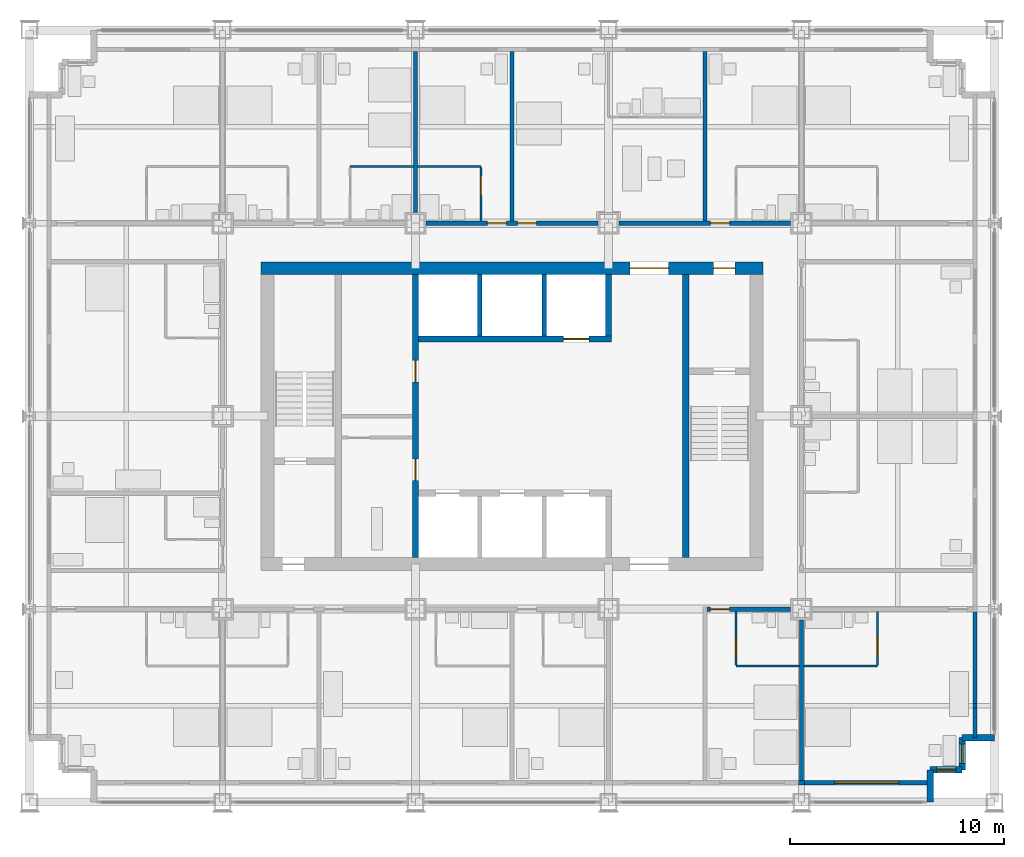
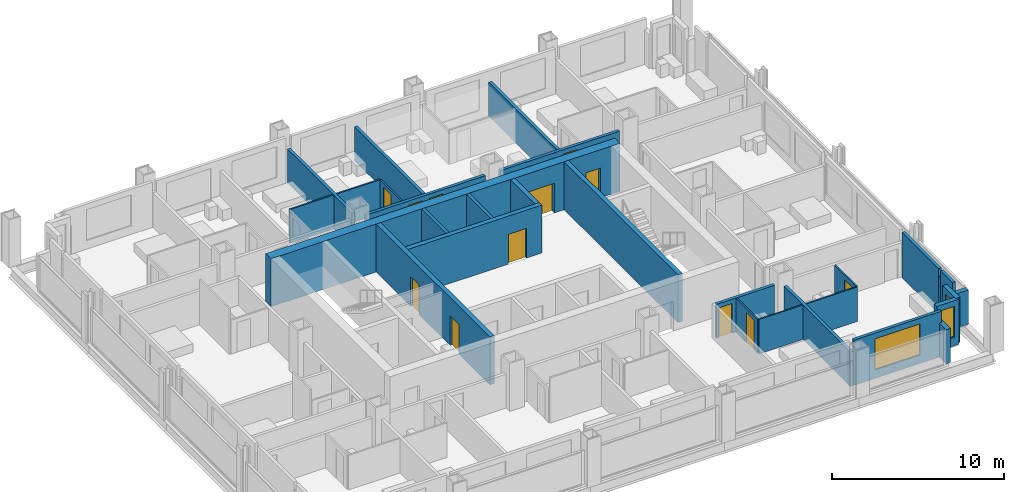
# One storey, part 11 of 16: 30 walls, 12 doors, 3 windows, 15 openings.
"""IFC4 building model written with IfcOpenShell, lengths in metres."""

from ifc_helpers import new_model, si_unit, direction, frame, frame_2d, origin, place, context, subcontext, project, spatial, rectangle, extrude, material, layer, layer_set, type_object, element, fill, save


model = new_model("IFC4")

# Units and contexts
model_context = context("Model", 3, precision=1e-05, world=origin(), true_north=direction((0.0, 1.0)))
body_context = subcontext(model_context, "Body", "Model", "MODEL_VIEW")
ifc_project = project(units=[si_unit("LENGTHUNIT", "METRE"), si_unit("AREAUNIT", "SQUARE_METRE"), si_unit("VOLUMEUNIT", "CUBIC_METRE"), si_unit("PLANEANGLEUNIT", "RADIAN"), si_unit("MASSUNIT", "GRAM", prefix="KILO")], contexts=[model_context])

# Site, building, storey
site_placement = place(None, origin())
site = spatial("IfcSite", under=ifc_project, at=site_placement, CompositionType="ELEMENT")
building_placement = place(site_placement, origin())
building = spatial("IfcBuilding", under=site, at=building_placement, Name="Loomwork Tower", CompositionType="ELEMENT")
storey_placement = place(building_placement, frame((0.0, 0.0, 97.60009765625)))
storey = spatial("IfcBuildingStorey", under=building, at=storey_placement, Name="L25", CompositionType="ELEMENT", Elevation=97.60009765625)

# Wall, openings, doors
ifc_material_1 = material(Name="Concrete 14000 psi (97 MPa)", Category="concrete")
ifc_layer_1 = layer(ifc_material_1, 0.300048828125)
ifc_layer_set_1 = layer_set([ifc_layer_1], Name="Core shear wall 300")
wall_type_1 = type_object("IfcWallType", Name="Core shear wall 300", PredefinedType="SHEAR", material=ifc_layer_set_1)
wall_1_placement = place(storey_placement, frame((18.0, 11.39990234375, 0.0), z_axis=(0.0, 0.0, 1.0), x_axis=(0.0, 1.0, 0.0)))
wall_1 = element("IfcWall", 1, at=wall_1_placement, inside=storey, type_object=wall_type_1, Name="Lobby west wall L25", PredefinedType="SHEAR", context=body_context, shape_type="SweptSolid", body=[
    extrude(rectangle(XDim=13.2001953125, YDim=0.300048828125, at=frame_2d((6.60009765625, 0.0))), origin(), (0.0, 0.0, 1.0), 3.39990234375),
])
opening_1_placement = place(wall_1_placement, frame((3.60009765625, 0.0, 0.0)))
opening_1 = element("IfcOpeningElement", 2, at=opening_1_placement, cuts=wall_1, Name="Opening D5", PredefinedType="OPENING", context=body_context, shape_type="SweptSolid", body=[
    extrude(rectangle(XDim=1.0, YDim=2.10009765625, at=frame_2d((0.5, 1.050048828125))), frame((0.0, 0.159912109375, 0.0), z_axis=(0.0, -1.0, 0.0), x_axis=(1.0, 0.0, 0.0)), (0.0, 0.0, 1.0), 0.320068359375),
])
opening_2_placement = place(wall_1_placement, frame((8.199951171875, 0.0, 0.0)))
opening_2 = element("IfcOpeningElement", 3, at=opening_2_placement, cuts=wall_1, Name="Opening D5", PredefinedType="OPENING", context=body_context, shape_type="SweptSolid", body=[
    extrude(rectangle(XDim=1.0, YDim=2.10009765625, at=frame_2d((0.5, 1.050048828125))), frame((0.0, 0.159912109375, 0.0), z_axis=(0.0, -1.0, 0.0), x_axis=(1.0, 0.0, 0.0)), (0.0, 0.0, 1.0), 0.320068359375),
])
ifc_material_2 = material(Name="Hollow metal door and frame")
door_type_1 = type_object("IfcDoorType", Name="Service door 1000", OperationType="SINGLE_SWING_LEFT", PredefinedType="DOOR", material=ifc_material_2)
door_1_placement = place(opening_1_placement, origin())
door_1 = element("IfcDoor", 4, at=door_1_placement, inside=storey, type_object=door_type_1, Name="Back-of-house door south", OperationType="SINGLE_SWING_LEFT", OverallHeight=2.10009765625, OverallWidth=1.0, PredefinedType="DOOR", context=body_context, shape_type="SweptSolid", body=[
    extrude(rectangle(XDim=1.0, YDim=2.10009765625, at=frame_2d((0.5, 1.050048828125))), frame((0.0, 0.02490234375, 0.0), z_axis=(0.0, -1.0, 0.0), x_axis=(1.0, 0.0, 0.0)), (0.0, 0.0, 1.0), 0.050048828125),
])
fill(opening_1, door_1)
door_2_placement = place(opening_2_placement, origin())
door_2 = element("IfcDoor", 5, at=door_2_placement, inside=storey, type_object=door_type_1, Name="Back-of-house door north", OperationType="SINGLE_SWING_RIGHT", OverallHeight=2.10009765625, OverallWidth=1.0, PredefinedType="DOOR", context=body_context, shape_type="SweptSolid", body=[
    extrude(rectangle(XDim=1.0, YDim=2.10009765625, at=frame_2d((0.5, 1.050048828125))), frame((0.0, 0.02490234375, 0.0), z_axis=(0.0, -1.0, 0.0), x_axis=(1.0, 0.0, 0.0)), (0.0, 0.0, 1.0), 0.050048828125),
])
fill(opening_2, door_2)

# Wall, opening, door
wall_2_placement = place(storey_placement, frame((18.14990234375, 21.60009765625, 0.0), z_axis=(0.0, 0.0, 1.0), x_axis=(1.0, 0.0, 0.0)))
wall_2 = element("IfcWall", 6, at=wall_2_placement, inside=storey, type_object=wall_type_1, Name="Lift front wall north L25", PredefinedType="SHEAR", context=body_context, shape_type="SweptSolid", body=[
    extrude(rectangle(XDim=9.0, YDim=0.300048828125, at=frame_2d((4.5, 0.0))), origin(), (0.0, 0.0, 1.0), 3.39990234375),
])
opening_3_placement = place(wall_2_placement, frame((6.75, 0.0, 0.0)))
opening_3 = element("IfcOpeningElement", 7, at=opening_3_placement, cuts=wall_2, Name="Opening LD2", PredefinedType="OPENING", context=body_context, shape_type="SweptSolid", body=[
    extrude(rectangle(XDim=1.199951171875, YDim=2.10009765625, at=frame_2d((0.60009765625, 1.050048828125))), frame((0.0, 0.159912109375, 0.0), z_axis=(0.0, -1.0, 0.0), x_axis=(1.0, 0.0, 0.0)), (0.0, 0.0, 1.0), 0.320068359375),
])
ifc_material_3 = material(Name="Hollow metal door and frame")
door_type_2 = type_object("IfcDoorType", Name="Lift landing door 1200", OperationType="SLIDING_TO_LEFT", PredefinedType="DOOR", material=ifc_material_3)
door_3_placement = place(opening_3_placement, origin())
door_3 = element("IfcDoor", 8, at=door_3_placement, inside=storey, type_object=door_type_2, Name="Lift landing door LF2", OperationType="SLIDING_TO_LEFT", OverallHeight=2.10009765625, OverallWidth=1.199951171875, PredefinedType="DOOR", context=body_context, shape_type="SweptSolid", body=[
    extrude(rectangle(XDim=1.199951171875, YDim=2.10009765625, at=frame_2d((0.60009765625, 1.050048828125))), frame((0.0, 0.02490234375, 0.0), z_axis=(0.0, -1.0, 0.0), x_axis=(1.0, 0.0, 0.0)), (0.0, 0.0, 1.0), 0.050048828125),
])
fill(opening_3, door_3)

# Walls
wall_3_placement = place(storey_placement, frame((27.0, 21.75, 0.0), z_axis=(0.0, 0.0, 1.0), x_axis=(0.0, 1.0, 0.0)))
element("IfcWall", 9, at=wall_3_placement, inside=storey, type_object=wall_type_1, Name="Lift shaft end wall north L25", PredefinedType="SHEAR", context=body_context, shape_type="SweptSolid", body=[
    extrude(rectangle(XDim=2.85009765625, YDim=0.300048828125, at=frame_2d((1.425048828125, 0.0))), origin(), (0.0, 0.0, 1.0), 3.39990234375),
])
wall_4_placement = place(storey_placement, frame((30.60009765625, 11.39990234375, 0.0), z_axis=(0.0, 0.0, 1.0), x_axis=(0.0, 1.0, 0.0)))
element("IfcWall", 10, at=wall_4_placement, inside=storey, type_object=wall_type_1, Name="Stair B west wall L25", PredefinedType="SHEAR", context=body_context, shape_type="SweptSolid", body=[
    extrude(rectangle(XDim=13.2001953125, YDim=0.300048828125, at=frame_2d((6.60009765625, 0.0))), origin(), (0.0, 0.0, 1.0), 3.39990234375),
])

# Wall, openings, doors
ifc_material_4 = material(Name="Concrete 14000 psi (97 MPa)", Category="concrete")
ifc_layer_2 = layer(ifc_material_4, 0.60009765625)
ifc_layer_set_2 = layer_set([ifc_layer_2], Name="Core shear wall 600")
wall_type_2 = type_object("IfcWallType", Name="Core shear wall 600", PredefinedType="SHEAR", material=ifc_layer_set_2)
wall_5_placement = place(storey_placement, frame((10.800048828125, 24.89990234375, 0.0), z_axis=(0.0, 0.0, 1.0), x_axis=(1.0, 0.0, 0.0)))
wall_5 = element("IfcWall", 11, at=wall_5_placement, inside=storey, type_object=wall_type_2, Name="Core wall north L25", PredefinedType="SHEAR", context=body_context, shape_type="SweptSolid", body=[
    extrude(rectangle(XDim=23.39990234375, YDim=0.60009765625, at=frame_2d((11.699951171875, 0.0))), origin(), (0.0, 0.0, 1.0), 3.39990234375),
])
opening_4_placement = place(wall_5_placement, frame((17.199951171875, 0.0, 0.0)))
opening_4 = element("IfcOpeningElement", 12, at=opening_4_placement, cuts=wall_5, Name="Opening D6", PredefinedType="OPENING", context=body_context, shape_type="SweptSolid", body=[
    extrude(rectangle(XDim=1.800048828125, YDim=2.10009765625, at=frame_2d((0.89990234375, 1.050048828125))), frame((0.0, 0.31005859375, 0.0), z_axis=(0.0, -1.0, 0.0), x_axis=(1.0, 0.0, 0.0)), (0.0, 0.0, 1.0), 0.6201171875),
])
opening_5_placement = place(wall_5_placement, frame((21.10009765625, 0.0, 0.0)))
opening_5 = element("IfcOpeningElement", 13, at=opening_5_placement, cuts=wall_5, Name="Opening D4", PredefinedType="OPENING", context=body_context, shape_type="SweptSolid", body=[
    extrude(rectangle(XDim=1.0, YDim=2.10009765625, at=frame_2d((0.5, 1.050048828125))), frame((0.0, 0.31005859375, 0.0), z_axis=(0.0, -1.0, 0.0), x_axis=(1.0, 0.0, 0.0)), (0.0, 0.0, 1.0), 0.6201171875),
])
ifc_material_5 = material(Name="Hollow metal door and frame")
door_type_3 = type_object("IfcDoorType", Name="Lobby passage double door 1800", OperationType="DOUBLE_DOOR_SINGLE_SWING", PredefinedType="DOOR", material=ifc_material_5)
door_4_placement = place(opening_4_placement, frame((1.800048828125, 0.0, 0.0), z_axis=(0.0, 0.0, 1.0), x_axis=(-1.0, 0.0, 0.0)))
door_4 = element("IfcDoor", 14, at=door_4_placement, inside=storey, type_object=door_type_3, Name="Lobby passage door north", OperationType="DOUBLE_DOOR_SINGLE_SWING", OverallHeight=2.10009765625, OverallWidth=1.800048828125, PredefinedType="DOOR", context=body_context, shape_type="SweptSolid", body=[
    extrude(rectangle(XDim=1.800048828125, YDim=2.10009765625, at=frame_2d((0.89990234375, 1.050048828125))), frame((0.0, 0.02490234375, 0.0), z_axis=(0.0, -1.0, 0.0), x_axis=(1.0, 0.0, 0.0)), (0.0, 0.0, 1.0), 0.050048828125),
])
fill(opening_4, door_4)
ifc_material_6 = material(Name="Hollow metal door and frame")
door_type_4 = type_object("IfcDoorType", Name="Stair door 1000", OperationType="SINGLE_SWING_RIGHT", PredefinedType="DOOR", material=ifc_material_6)
door_5_placement = place(opening_5_placement, frame((1.0, 0.0, 0.0), z_axis=(0.0, 0.0, 1.0), x_axis=(-1.0, 0.0, 0.0)))
door_5 = element("IfcDoor", 15, at=door_5_placement, inside=storey, type_object=door_type_4, Name="Stair B vestibule door", OperationType="SINGLE_SWING_LEFT", OverallHeight=2.10009765625, OverallWidth=1.0, PredefinedType="DOOR", context=body_context, shape_type="SweptSolid", body=[
    extrude(rectangle(XDim=1.0, YDim=2.10009765625, at=frame_2d((0.5, 1.050048828125))), frame((0.0, 0.02490234375, 0.0), z_axis=(0.0, -1.0, 0.0), x_axis=(1.0, 0.0, 0.0)), (0.0, 0.0, 1.0), 0.050048828125),
])
fill(opening_5, door_5)

# Wall, opening, door
ifc_material_7 = material(Name="Gypsum board on steel studs, one-hour", Category="steel")
ifc_layer_3 = layer(ifc_material_7, 0.199951171875)
ifc_layer_set_3 = layer_set([ifc_layer_3], Name="Corridor wall 200")
wall_type_3 = type_object("IfcWallType", Name="Corridor wall 200", PredefinedType="PARTITIONING", material=ifc_layer_set_3)
wall_6_placement = place(storey_placement, frame((31.60009765625, 9.0, 0.0), z_axis=(0.0, 0.0, 1.0), x_axis=(1.0, 0.0, 0.0)))
wall_6 = element("IfcWall", 16, at=wall_6_placement, inside=storey, type_object=wall_type_3, Name="South corridor wall 4", PredefinedType="PARTITIONING", context=body_context, shape_type="SweptSolid", body=[
    extrude(rectangle(XDim=3.89990234375, YDim=0.199951171875, at=frame_2d((1.949951171875, 0.0))), origin(), (0.0, 0.0, 1.0), 2.40478515625),
])
opening_6_placement = place(wall_6_placement, frame((0.14990234375, 0.0, 0.0)))
opening_6 = element("IfcOpeningElement", 17, at=opening_6_placement, cuts=wall_6, Name="Opening D1", PredefinedType="OPENING", context=body_context, shape_type="SweptSolid", body=[
    extrude(rectangle(XDim=0.89990234375, YDim=2.10009765625, at=frame_2d((0.449951171875, 1.050048828125))), frame((0.0, 0.10986328125, 0.0), z_axis=(0.0, -1.0, 0.0), x_axis=(1.0, 0.0, 0.0)), (0.0, 0.0, 1.0), 0.219970703125),
])
ifc_material_8 = material(Name="Hollow metal door and frame")
door_type_5 = type_object("IfcDoorType", Name="Guest room entry door 900", OperationType="SINGLE_SWING_LEFT", PredefinedType="DOOR", material=ifc_material_8)
door_6_placement = place(opening_6_placement, frame((0.89990234375, 0.0, 0.0), z_axis=(0.0, 0.0, 1.0), x_axis=(-1.0, 0.0, 0.0)))
door_6 = element("IfcDoor", 18, at=door_6_placement, inside=storey, type_object=door_type_5, Name="Guest room entry door L25 5", OperationType="SINGLE_SWING_RIGHT", OverallHeight=2.10009765625, OverallWidth=0.89990234375, PredefinedType="DOOR", context=body_context, shape_type="SweptSolid", body=[
    extrude(rectangle(XDim=0.89990234375, YDim=2.10009765625, at=frame_2d((0.449951171875, 1.050048828125))), frame((0.0, 0.02490234375, 0.0), z_axis=(0.0, -1.0, 0.0), x_axis=(1.0, 0.0, 0.0)), (0.0, 0.0, 1.0), 0.050048828125),
])
fill(opening_6, door_6)

# Wall, openings, doors
wall_7_placement = place(storey_placement, frame((18.5, 27.0, 0.0), z_axis=(0.0, 0.0, 1.0), x_axis=(1.0, 0.0, 0.0)))
wall_7 = element("IfcWall", 19, at=wall_7_placement, inside=storey, type_object=wall_type_3, Name="North corridor wall 3", PredefinedType="PARTITIONING", context=body_context, shape_type="SweptSolid", body=[
    extrude(rectangle(XDim=8.0, YDim=0.199951171875, at=frame_2d((4.0, 0.0))), origin(), (0.0, 0.0, 1.0), 2.40478515625),
])
opening_7_placement = place(wall_7_placement, frame((2.85009765625, 0.0, 0.0)))
opening_7 = element("IfcOpeningElement", 20, at=opening_7_placement, cuts=wall_7, Name="Opening D1", PredefinedType="OPENING", context=body_context, shape_type="SweptSolid", body=[
    extrude(rectangle(XDim=0.89990234375, YDim=2.10009765625, at=frame_2d((0.449951171875, 1.050048828125))), frame((0.0, 0.10986328125, 0.0), z_axis=(0.0, -1.0, 0.0), x_axis=(1.0, 0.0, 0.0)), (0.0, 0.0, 1.0), 0.219970703125),
])
opening_8_placement = place(wall_7_placement, frame((4.25, 0.0, 0.0)))
opening_8 = element("IfcOpeningElement", 21, at=opening_8_placement, cuts=wall_7, Name="Opening D1", PredefinedType="OPENING", context=body_context, shape_type="SweptSolid", body=[
    extrude(rectangle(XDim=0.89990234375, YDim=2.10009765625, at=frame_2d((0.449951171875, 1.050048828125))), frame((0.0, 0.10986328125, 0.0), z_axis=(0.0, -1.0, 0.0), x_axis=(1.0, 0.0, 0.0)), (0.0, 0.0, 1.0), 0.219970703125),
])
door_7_placement = place(opening_7_placement, origin())
door_7 = element("IfcDoor", 22, at=door_7_placement, inside=storey, type_object=door_type_5, Name="Guest room entry door L25 10", OperationType="SINGLE_SWING_RIGHT", OverallHeight=2.10009765625, OverallWidth=0.89990234375, PredefinedType="DOOR", context=body_context, shape_type="SweptSolid", body=[
    extrude(rectangle(XDim=0.89990234375, YDim=2.10009765625, at=frame_2d((0.449951171875, 1.050048828125))), frame((0.0, 0.02490234375, 0.0), z_axis=(0.0, -1.0, 0.0), x_axis=(1.0, 0.0, 0.0)), (0.0, 0.0, 1.0), 0.050048828125),
])
fill(opening_7, door_7)
door_8_placement = place(opening_8_placement, origin())
door_8 = element("IfcDoor", 23, at=door_8_placement, inside=storey, type_object=door_type_5, Name="Guest room entry door L25 11", OperationType="SINGLE_SWING_LEFT", OverallHeight=2.10009765625, OverallWidth=0.89990234375, PredefinedType="DOOR", context=body_context, shape_type="SweptSolid", body=[
    extrude(rectangle(XDim=0.89990234375, YDim=2.10009765625, at=frame_2d((0.449951171875, 1.050048828125))), frame((0.0, 0.02490234375, 0.0), z_axis=(0.0, -1.0, 0.0), x_axis=(1.0, 0.0, 0.0)), (0.0, 0.0, 1.0), 0.050048828125),
])
fill(opening_8, door_8)

# Wall, opening, door
wall_8_placement = place(storey_placement, frame((27.5, 27.0, 0.0), z_axis=(0.0, 0.0, 1.0), x_axis=(1.0, 0.0, 0.0)))
wall_8 = element("IfcWall", 24, at=wall_8_placement, inside=storey, type_object=wall_type_3, Name="North corridor wall 4", PredefinedType="PARTITIONING", context=body_context, shape_type="SweptSolid", body=[
    extrude(rectangle(XDim=8.0, YDim=0.199951171875, at=frame_2d((4.0, 0.0))), origin(), (0.0, 0.0, 1.0), 2.40478515625),
])
opening_9_placement = place(wall_8_placement, frame((4.25, 0.0, 0.0)))
opening_9 = element("IfcOpeningElement", 25, at=opening_9_placement, cuts=wall_8, Name="Opening D1", PredefinedType="OPENING", context=body_context, shape_type="SweptSolid", body=[
    extrude(rectangle(XDim=0.89990234375, YDim=2.10009765625, at=frame_2d((0.449951171875, 1.050048828125))), frame((0.0, 0.10986328125, 0.0), z_axis=(0.0, -1.0, 0.0), x_axis=(1.0, 0.0, 0.0)), (0.0, 0.0, 1.0), 0.219970703125),
])
door_9_placement = place(opening_9_placement, origin())
door_9 = element("IfcDoor", 26, at=door_9_placement, inside=storey, type_object=door_type_5, Name="Guest room entry door L25 12", OperationType="SINGLE_SWING_LEFT", OverallHeight=2.10009765625, OverallWidth=0.89990234375, PredefinedType="DOOR", context=body_context, shape_type="SweptSolid", body=[
    extrude(rectangle(XDim=0.89990234375, YDim=2.10009765625, at=frame_2d((0.449951171875, 1.050048828125))), frame((0.0, 0.02490234375, 0.0), z_axis=(0.0, -1.0, 0.0), x_axis=(1.0, 0.0, 0.0)), (0.0, 0.0, 1.0), 0.050048828125),
])
fill(opening_9, door_9)

# Wall
ifc_material_9 = material(Name="Cement board on steel studs", Category="steel")
ifc_layer_4 = layer(ifc_material_9, 0.10009765625)
ifc_layer_set_4 = layer_set([ifc_layer_4], Name="En-suite partition 100")
wall_type_4 = type_object("IfcWallType", Name="En-suite partition 100", PredefinedType="PARTITIONING", material=ifc_layer_set_4)
wall_9_placement = place(storey_placement, frame((32.949951171875, 6.35009765625, 0.0), z_axis=(0.0, 0.0, 1.0), x_axis=(1.0, 0.0, 0.0)))
element("IfcWall", 27, at=wall_9_placement, inside=storey, type_object=wall_type_4, Name="En-suite wall L25 room 5", PredefinedType="PARTITIONING", context=body_context, shape_type="SweptSolid", body=[
    extrude(rectangle(XDim=2.949951171875, YDim=0.10009765625, at=frame_2d((1.47509765625, 0.0))), origin(), (0.0, 0.0, 1.0), 2.43798828125),
])

# Wall, opening, door
wall_10_placement = place(storey_placement, frame((32.949951171875, 8.89990234375, 0.0), z_axis=(0.0, 0.0, 1.0), x_axis=(0.0, -1.0, 0.0)))
wall_10 = element("IfcWall", 28, at=wall_10_placement, inside=storey, type_object=wall_type_4, Name="En-suite side wall L25 room 5", PredefinedType="PARTITIONING", context=body_context, shape_type="SweptSolid", body=[
    extrude(rectangle(XDim=2.5, YDim=0.10009765625, at=frame_2d((1.25, 0.0))), origin(), (0.0, 0.0, 1.0), 2.40380859375),
])
opening_10_placement = place(wall_10_placement, frame((1.199951171875, 0.0, 0.0)))
opening_10 = element("IfcOpeningElement", 29, at=opening_10_placement, cuts=wall_10, Name="Opening D2", PredefinedType="OPENING", context=body_context, shape_type="SweptSolid", body=[
    extrude(rectangle(XDim=0.89990234375, YDim=2.10009765625, at=frame_2d((0.449951171875, 1.050048828125))), frame((0.0, 0.06005859375, 0.0), z_axis=(0.0, -1.0, 0.0), x_axis=(1.0, 0.0, 0.0)), (0.0, 0.0, 1.0), 0.1201171875),
])
ifc_material_10 = material(Name="Hollow metal door and frame")
door_type_6 = type_object("IfcDoorType", Name="En-suite door 900", OperationType="SINGLE_SWING_LEFT", PredefinedType="DOOR", material=ifc_material_10)
door_10_placement = place(opening_10_placement, origin())
door_10 = element("IfcDoor", 30, at=door_10_placement, inside=storey, type_object=door_type_6, Name="En-suite door room 5", OperationType="SINGLE_SWING_RIGHT", OverallHeight=2.10009765625, OverallWidth=0.89990234375, PredefinedType="DOOR", context=body_context, shape_type="SweptSolid", body=[
    extrude(rectangle(XDim=0.89990234375, YDim=2.10009765625, at=frame_2d((0.449951171875, 1.050048828125))), frame((0.0, 0.02490234375, 0.0), z_axis=(0.0, -1.0, 0.0), x_axis=(1.0, 0.0, 0.0)), (0.0, 0.0, 1.0), 0.050048828125),
])
fill(opening_10, door_10)

# Wall
wall_11_placement = place(storey_placement, frame((36.10009765625, 6.35009765625, 0.0), z_axis=(0.0, 0.0, 1.0), x_axis=(1.0, 0.0, 0.0)))
element("IfcWall", 31, at=wall_11_placement, inside=storey, type_object=wall_type_4, Name="En-suite wall L25 room 6", PredefinedType="PARTITIONING", context=body_context, shape_type="SweptSolid", body=[
    extrude(rectangle(XDim=3.449951171875, YDim=0.10009765625, at=frame_2d((1.72509765625, 0.0))), origin(), (0.0, 0.0, 1.0), 2.43798828125),
])

# Wall, opening, door
wall_12_placement = place(storey_placement, frame((39.550048828125, 8.89990234375, 0.0), z_axis=(0.0, 0.0, 1.0), x_axis=(0.0, -1.0, 0.0)))
wall_12 = element("IfcWall", 32, at=wall_12_placement, inside=storey, type_object=wall_type_4, Name="En-suite side wall L25 room 6", PredefinedType="PARTITIONING", context=body_context, shape_type="SweptSolid", body=[
    extrude(rectangle(XDim=2.5, YDim=0.10009765625, at=frame_2d((1.25, 0.0))), origin(), (0.0, 0.0, 1.0), 2.43798828125),
])
opening_11_placement = place(wall_12_placement, frame((1.199951171875, 0.0, 0.0)))
opening_11 = element("IfcOpeningElement", 33, at=opening_11_placement, cuts=wall_12, Name="Opening D2", PredefinedType="OPENING", context=body_context, shape_type="SweptSolid", body=[
    extrude(rectangle(XDim=0.89990234375, YDim=2.10009765625, at=frame_2d((0.449951171875, 1.050048828125))), frame((0.0, 0.06005859375, 0.0), z_axis=(0.0, -1.0, 0.0), x_axis=(1.0, 0.0, 0.0)), (0.0, 0.0, 1.0), 0.1201171875),
])
door_11_placement = place(opening_11_placement, frame((0.89990234375, 0.0, 0.0), z_axis=(0.0, 0.0, 1.0), x_axis=(-1.0, 0.0, 0.0)))
door_11 = element("IfcDoor", 34, at=door_11_placement, inside=storey, type_object=door_type_6, Name="En-suite door room 6", OperationType="SINGLE_SWING_LEFT", OverallHeight=2.10009765625, OverallWidth=0.89990234375, PredefinedType="DOOR", context=body_context, shape_type="SweptSolid", body=[
    extrude(rectangle(XDim=0.89990234375, YDim=2.10009765625, at=frame_2d((0.449951171875, 1.050048828125))), frame((0.0, 0.02490234375, 0.0), z_axis=(0.0, -1.0, 0.0), x_axis=(1.0, 0.0, 0.0)), (0.0, 0.0, 1.0), 0.050048828125),
])
fill(opening_11, door_11)

# Walls
for number, where, z_axis, x_axis, name in (
    (35, (14.949951171875, 29.64990234375, 0.0), (0.0, 0.0, 1.0), (1.0, 0.0, 0.0), "En-suite wall L25 room 9"),
    (36, (18.10009765625, 29.64990234375, 0.0), (0.0, 0.0, 1.0), (1.0, 0.0, 0.0), "En-suite wall L25 room 10"),
):
    element("IfcWall", number, at=place(storey_placement, frame(where, z_axis=z_axis, x_axis=x_axis)), inside=storey, type_object=wall_type_4, Name=name, PredefinedType="PARTITIONING", context=body_context, shape_type="SweptSolid", body=[
        extrude(rectangle(XDim=2.949951171875, YDim=0.10009765625, at=frame_2d((1.47509765625, 0.0))), origin(), (0.0, 0.0, 1.0), 2.40380859375),
    ])

# Wall, opening, door
wall_13_placement = place(storey_placement, frame((21.050048828125, 27.10009765625, 0.0), z_axis=(0.0, 0.0, 1.0), x_axis=(0.0, 1.0, 0.0)))
wall_13 = element("IfcWall", 37, at=wall_13_placement, inside=storey, type_object=wall_type_4, Name="En-suite side wall L25 room 10", PredefinedType="PARTITIONING", context=body_context, shape_type="SweptSolid", body=[
    extrude(rectangle(XDim=2.5, YDim=0.10009765625, at=frame_2d((1.25, 0.0))), origin(), (0.0, 0.0, 1.0), 2.40380859375),
])
opening_12_placement = place(wall_13_placement, frame((1.199951171875, 0.0, 0.0)))
opening_12 = element("IfcOpeningElement", 38, at=opening_12_placement, cuts=wall_13, Name="Opening D2", PredefinedType="OPENING", context=body_context, shape_type="SweptSolid", body=[
    extrude(rectangle(XDim=0.89990234375, YDim=2.10009765625, at=frame_2d((0.449951171875, 1.050048828125))), frame((0.0, 0.06005859375, 0.0), z_axis=(0.0, -1.0, 0.0), x_axis=(1.0, 0.0, 0.0)), (0.0, 0.0, 1.0), 0.1201171875),
])
door_12_placement = place(opening_12_placement, origin())
door_12 = element("IfcDoor", 39, at=door_12_placement, inside=storey, type_object=door_type_6, Name="En-suite door room 10", OperationType="SINGLE_SWING_RIGHT", OverallHeight=2.10009765625, OverallWidth=0.89990234375, PredefinedType="DOOR", context=body_context, shape_type="SweptSolid", body=[
    extrude(rectangle(XDim=0.89990234375, YDim=2.10009765625, at=frame_2d((0.449951171875, 1.050048828125))), frame((0.0, 0.02490234375, 0.0), z_axis=(0.0, -1.0, 0.0), x_axis=(1.0, 0.0, 0.0)), (0.0, 0.0, 1.0), 0.050048828125),
])
fill(opening_12, door_12)

# Walls
ifc_material_11 = material(Name="Gypsum board on steel studs, acoustic", Category="steel")
ifc_layer_5 = layer(ifc_material_11, 0.199951171875)
ifc_layer_set_5 = layer_set([ifc_layer_5], Name="Guest room party wall 200")
wall_type_5 = type_object("IfcWallType", Name="Guest room party wall 200", PredefinedType="PARTITIONING", material=ifc_layer_set_5)
wall_14_placement = place(storey_placement, frame((36.0, 8.5, 0.0), z_axis=(0.0, 0.0, 1.0), x_axis=(0.0, -1.0, 0.0)))
element("IfcWall", 40, at=wall_14_placement, inside=storey, type_object=wall_type_5, Name="Guest room party wall S 36", PredefinedType="PARTITIONING", context=body_context, shape_type="SweptSolid", body=[
    extrude(rectangle(XDim=7.5, YDim=0.199951171875, at=frame_2d((3.75, 0.0))), origin(), (0.0, 0.0, 1.0), 2.43798828125),
])
wall_15_placement = place(storey_placement, frame((18.0, 27.5, 0.0), z_axis=(0.0, 0.0, 1.0), x_axis=(0.0, 1.0, 0.0)))
element("IfcWall", 41, at=wall_15_placement, inside=storey, type_object=wall_type_5, Name="Guest room party wall N 18", PredefinedType="PARTITIONING", context=body_context, shape_type="SweptSolid", body=[
    extrude(rectangle(XDim=7.5, YDim=0.199951171875, at=frame_2d((3.75, 0.0))), origin(), (0.0, 0.0, 1.0), 2.40478515625),
])
for number, where, z_axis, x_axis, name in (
    (42, (22.5, 27.10009765625, 0.0), (0.0, 0.0, 1.0), (0.0, 1.0, 0.0), "Guest room party wall N 22.5"),
    (43, (31.5, 27.10009765625, 0.0), (0.0, 0.0, 1.0), (0.0, 1.0, 0.0), "Guest room party wall N 31.5"),
):
    element("IfcWall", number, at=place(storey_placement, frame(where, z_axis=z_axis, x_axis=x_axis)), inside=storey, type_object=wall_type_5, Name=name, PredefinedType="PARTITIONING", context=body_context, shape_type="SweptSolid", body=[
        extrude(rectangle(XDim=7.89990234375, YDim=0.199951171875, at=frame_2d((3.949951171875, 0.0))), origin(), (0.0, 0.0, 1.0), 2.40380859375),
    ])
ifc_material_12 = material(Name="Insulated steel stud wall with gypsum lining", Category="steel")
ifc_layer_6 = layer(ifc_material_12, 0.199951171875)
ifc_layer_set_6 = layer_set([ifc_layer_6], Name="Inner skin wall 200")
wall_type_6 = type_object("IfcWallType", Name="Inner skin wall 200", PredefinedType="SOLIDWALL", material=ifc_layer_set_6)
wall_16_placement = place(storey_placement, frame((44.10009765625, 3.0, 0.0), z_axis=(0.0, 0.0, 1.0), x_axis=(0.0, 1.0, 0.0)))
element("IfcWall", 44, at=wall_16_placement, inside=storey, type_object=wall_type_6, Name="Inner skin wall E", PredefinedType="SOLIDWALL", context=body_context, shape_type="SweptSolid", body=[
    extrude(rectangle(XDim=1.392578125, YDim=0.199951171875, at=frame_2d((0.6962890625, 0.0))), origin(), (0.0, 0.0, 1.0), 3.199951171875),
])
wall_17_placement = place(storey_placement, frame((35.864501953125, 0.89990234375, 0.0), z_axis=(0.0, 0.0, 1.0), x_axis=(1.0, 0.0, 0.0)))
element("IfcWall", 45, at=wall_17_placement, inside=storey, type_object=wall_type_6, Name="Inner skin wall S bay 8", PredefinedType="SOLIDWALL", context=body_context, shape_type="SweptSolid", body=[
    extrude(rectangle(XDim=0.27099609375, YDim=0.199951171875, at=frame_2d((0.135498046875, 0.0))), origin(), (0.0, 0.0, 1.0), 2.43798828125),
])

# Wall, opening, window
wall_18_placement = place(storey_placement, frame((36.135498046875, 0.89990234375, 0.0), z_axis=(0.0, 0.0, 1.0), x_axis=(1.0, 0.0, 0.0)))
wall_18 = element("IfcWall", 46, at=wall_18_placement, inside=storey, type_object=wall_type_6, Name="Inner skin wall S bay 9", PredefinedType="SOLIDWALL", context=body_context, shape_type="SweptSolid", body=[
    extrude(rectangle(XDim=5.864501953125, YDim=0.199951171875, at=frame_2d((2.93212890625, 0.0))), origin(), (0.0, 0.0, 1.0), 3.199951171875),
])
opening_13_placement = place(wall_18_placement, frame((1.41455078125, 0.0, 0.60009765625)))
opening_13 = element("IfcOpeningElement", 47, at=opening_13_placement, cuts=wall_18, Name="Opening CH1", PredefinedType="OPENING", context=body_context, shape_type="SweptSolid", body=[
    extrude(rectangle(XDim=3.0, YDim=2.199951171875, at=frame_2d((1.5, 1.10009765625))), frame((0.0, 0.10986328125, 0.0), z_axis=(0.0, -1.0, 0.0), x_axis=(1.0, 0.0, 0.0)), (0.0, 0.0, 1.0), 0.219970703125),
])
ifc_material_13 = material(Name="Aluminium frame with clear insulated glass", Category="aluminium")
window_type_1 = type_object("IfcWindowType", Name="Chicago window 3000", PartitioningType="TRIPLE_PANEL_VERTICAL", PredefinedType="WINDOW", material=ifc_material_13)
window_1_placement = place(opening_13_placement, origin())
window_1 = element("IfcWindow", 48, at=window_1_placement, inside=storey, type_object=window_type_1, Name="Chicago window L25 bay 5", OverallHeight=2.199951171875, OverallWidth=3.0, PartitioningType="TRIPLE_PANEL_VERTICAL", PredefinedType="WINDOW", context=body_context, shape_type="SweptSolid", body=[
    extrude(rectangle(XDim=3.0, YDim=2.199951171875, at=frame_2d((1.5, 1.10009765625))), frame((0.0, 0.030029296875, 0.0), z_axis=(0.0, -1.0, 0.0), x_axis=(1.0, 0.0, 0.0)), (0.0, 0.0, 1.0), 0.06005859375),
])
fill(opening_13, window_1)

# Walls
wall_19_placement = place(storey_placement, frame((44.10009765625, 4.392578125, 0.0), z_axis=(0.0, 0.0, 1.0), x_axis=(0.0, 1.0, 0.0)))
element("IfcWall", 49, at=wall_19_placement, inside=storey, type_object=wall_type_6, Name="Inner skin wall E bay 2", PredefinedType="SOLIDWALL", context=body_context, shape_type="SweptSolid", body=[
    extrude(rectangle(XDim=0.21484375, YDim=0.199951171875, at=frame_2d((0.107421875, 0.0))), origin(), (0.0, 0.0, 1.0), 2.660888671875),
])
wall_20_placement = place(storey_placement, frame((44.10009765625, 4.607421875, 0.0), z_axis=(0.0, 0.0, 1.0), x_axis=(0.0, 1.0, 0.0)))
element("IfcWall", 50, at=wall_20_placement, inside=storey, type_object=wall_type_6, Name="Inner skin wall E bay 3", PredefinedType="SOLIDWALL", context=body_context, shape_type="SweptSolid", body=[
    extrude(rectangle(XDim=4.25732421875, YDim=0.199951171875, at=frame_2d((2.128662109375, 0.0))), origin(), (0.0, 0.0, 1.0), 3.199951171875),
])
ifc_material_14 = material(Name="Concrete 14000 psi (97 MPa)", Category="concrete")
ifc_layer_7 = layer(ifc_material_14, 0.199951171875)
ifc_layer_set_7 = layer_set([ifc_layer_7], Name="Lift shaft wall 200")
wall_type_7 = type_object("IfcWallType", Name="Lift shaft wall 200", PredefinedType="SHEAR", material=ifc_layer_set_7)
for number, where, z_axis, x_axis, name in (
    (51, (21.0, 21.75, 0.0), (0.0, 0.0, 1.0), (0.0, 1.0, 0.0), "Lift shaft separation wall north 1 L25"),
    (52, (24.0, 21.75, 0.0), (0.0, 0.0, 1.0), (0.0, 1.0, 0.0), "Lift shaft separation wall north 2 L25"),
):
    element("IfcWall", number, at=place(storey_placement, frame(where, z_axis=z_axis, x_axis=x_axis)), inside=storey, type_object=wall_type_7, Name=name, PredefinedType="SHEAR", context=body_context, shape_type="SweptSolid", body=[
        extrude(rectangle(XDim=2.85009765625, YDim=0.199951171875, at=frame_2d((1.425048828125, 0.0))), origin(), (0.0, 0.0, 1.0), 3.39990234375),
    ])
ifc_material_15 = material(Name="Limestone on concrete masonry", Category="masonry")
ifc_layer_8 = layer(ifc_material_15, 0.300048828125)
ifc_layer_set_8 = layer_set([ifc_layer_8], Name="Limestone corner wall 300")
wall_type_8 = type_object("IfcWallType", Name="Limestone corner wall 300", PredefinedType="SOLIDWALL", material=ifc_layer_set_8)
wall_21_placement = place(storey_placement, frame((42.0, 0.0, 0.0), z_axis=(0.0, 0.0, 1.0), x_axis=(0.0, 1.0, 0.0)))
element("IfcWall", 53, at=wall_21_placement, inside=storey, type_object=wall_type_8, Name="Stone corner wall SE 1", PredefinedType="SOLIDWALL", context=body_context, shape_type="SweptSolid", body=[
    extrude(rectangle(XDim=1.5, YDim=0.300048828125, at=frame_2d((0.75, 0.0))), origin(), (0.0, 0.0, 1.0), 2.419921875),
])

# Wall, opening, window
wall_22_placement = place(storey_placement, frame((42.0, 1.5, 0.0), z_axis=(0.0, 0.0, 1.0), x_axis=(1.0, 0.0, 0.0)))
wall_22 = element("IfcWall", 54, at=wall_22_placement, inside=storey, type_object=wall_type_8, Name="Stone corner wall SE 2", PredefinedType="SOLIDWALL", context=body_context, shape_type="SweptSolid", body=[
    extrude(rectangle(XDim=1.5, YDim=0.300048828125, at=frame_2d((0.75, 0.0))), origin(), (0.0, 0.0, 1.0), 3.199951171875),
])
opening_14_placement = place(wall_22_placement, frame((0.300048828125, 0.0, 0.60009765625)))
opening_14 = element("IfcOpeningElement", 55, at=opening_14_placement, cuts=wall_22, Name="Opening CH2", PredefinedType="OPENING", context=body_context, shape_type="SweptSolid", body=[
    extrude(rectangle(XDim=0.89990234375, YDim=2.199951171875, at=frame_2d((0.449951171875, 1.10009765625))), frame((0.0, 0.159912109375, 0.0), z_axis=(0.0, -1.0, 0.0), x_axis=(1.0, 0.0, 0.0)), (0.0, 0.0, 1.0), 0.320068359375),
])
ifc_material_16 = material(Name="Aluminium frame with clear insulated glass", Category="aluminium")
window_type_2 = type_object("IfcWindowType", Name="Corner window 900", PartitioningType="SINGLE_PANEL", PredefinedType="WINDOW", material=ifc_material_16)
window_2_placement = place(opening_14_placement, origin())
window_2 = element("IfcWindow", 56, at=window_2_placement, inside=storey, type_object=window_type_2, Name="Corner window SE", OverallHeight=2.199951171875, OverallWidth=0.89990234375, PartitioningType="SINGLE_PANEL", PredefinedType="WINDOW", context=body_context, shape_type="SweptSolid", body=[
    extrude(rectangle(XDim=0.89990234375, YDim=2.199951171875, at=frame_2d((0.449951171875, 1.10009765625))), frame((0.0, 0.030029296875, 0.0), z_axis=(0.0, -1.0, 0.0), x_axis=(1.0, 0.0, 0.0)), (0.0, 0.0, 1.0), 0.06005859375),
])
fill(opening_14, window_2)

wall_23_placement = place(storey_placement, frame((43.5, 1.5, 0.0), z_axis=(0.0, 0.0, 1.0), x_axis=(0.0, 1.0, 0.0)))
wall_23 = element("IfcWall", 57, at=wall_23_placement, inside=storey, type_object=wall_type_8, Name="Stone corner wall SE 3", PredefinedType="SOLIDWALL", context=body_context, shape_type="SweptSolid", body=[
    extrude(rectangle(XDim=1.5, YDim=0.300048828125, at=frame_2d((0.75, 0.0))), origin(), (0.0, 0.0, 1.0), 3.199951171875),
])
opening_15_placement = place(wall_23_placement, frame((0.300048828125, 0.0, 0.60009765625)))
opening_15 = element("IfcOpeningElement", 58, at=opening_15_placement, cuts=wall_23, Name="Opening CH2", PredefinedType="OPENING", context=body_context, shape_type="SweptSolid", body=[
    extrude(rectangle(XDim=0.89990234375, YDim=2.199951171875, at=frame_2d((0.449951171875, 1.10009765625))), frame((0.0, 0.159912109375, 0.0), z_axis=(0.0, -1.0, 0.0), x_axis=(1.0, 0.0, 0.0)), (0.0, 0.0, 1.0), 0.320068359375),
])
window_3_placement = place(opening_15_placement, origin())
window_3 = element("IfcWindow", 59, at=window_3_placement, inside=storey, type_object=window_type_2, Name="Corner window SE", OverallHeight=2.199951171875, OverallWidth=0.89990234375, PartitioningType="SINGLE_PANEL", PredefinedType="WINDOW", context=body_context, shape_type="SweptSolid", body=[
    extrude(rectangle(XDim=0.89990234375, YDim=2.199951171875, at=frame_2d((0.449951171875, 1.10009765625))), frame((0.0, 0.030029296875, 0.0), z_axis=(0.0, -1.0, 0.0), x_axis=(1.0, 0.0, 0.0)), (0.0, 0.0, 1.0), 0.06005859375),
])
fill(opening_15, window_3)

# Wall
wall_24_placement = place(storey_placement, frame((43.5, 3.0, 0.0), z_axis=(0.0, 0.0, 1.0), x_axis=(1.0, 0.0, 0.0)))
element("IfcWall", 60, at=wall_24_placement, inside=storey, type_object=wall_type_8, Name="Stone corner wall SE 4", PredefinedType="SOLIDWALL", context=body_context, shape_type="SweptSolid", body=[
    extrude(rectangle(XDim=1.5, YDim=0.300048828125, at=frame_2d((0.75, 0.0))), origin(), (0.0, 0.0, 1.0), 2.419921875),
])

save(model, "model.ifc")
